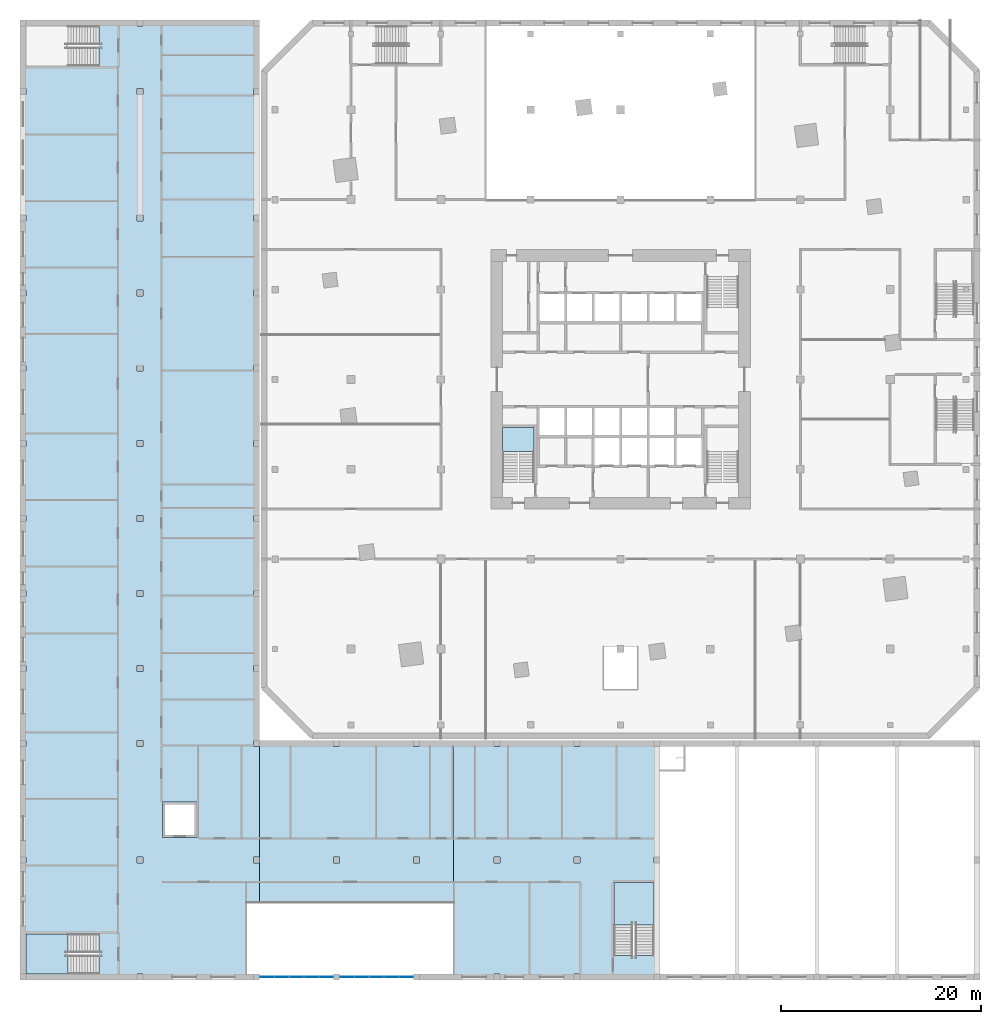
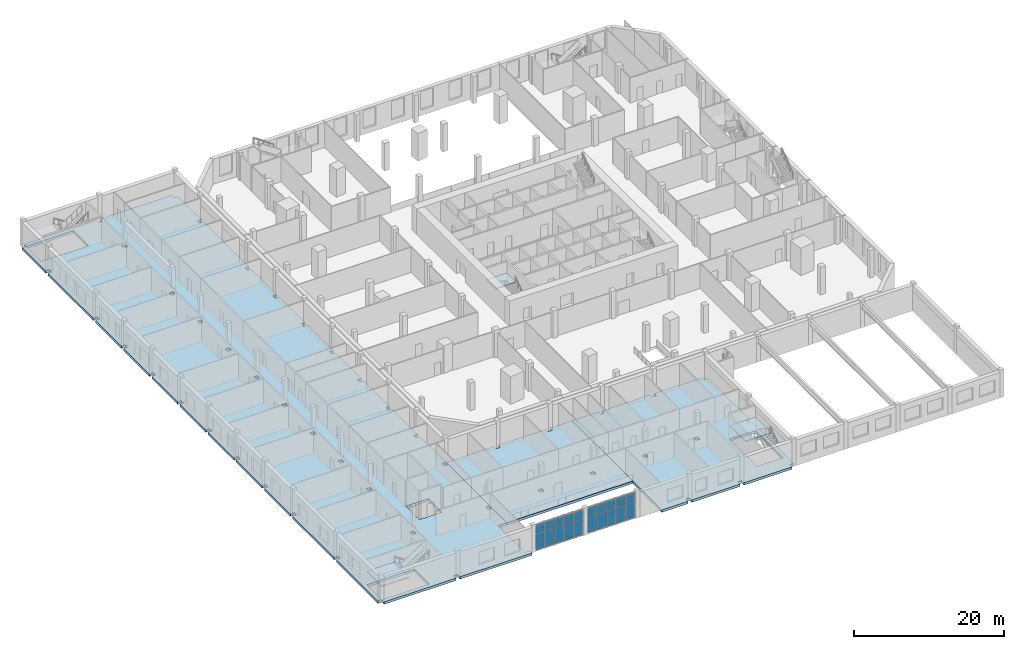
# One storey, part 7 of 27: 20 plates, 6 slabs, 5 elements without a shape of their own.
"""IFC4 building model written with IfcOpenShell, lengths in metres."""

from ifc_helpers import new_model, si_unit, direction, frame, origin, origin_2d, place, context, subcontext, project, spatial, polyline, rectangle, outline, extrude, material, layer, layer_set, type_object, element, aggregate, save


model = new_model("IFC4")

# Units and contexts
model_context = context("Model", 3, precision=1e-05, world=origin(), true_north=direction((0.0, 1.0)))
body_context = subcontext(model_context, "Body", "Model", "MODEL_VIEW")
ifc_project = project(units=[si_unit("LENGTHUNIT", "METRE"), si_unit("AREAUNIT", "SQUARE_METRE"), si_unit("VOLUMEUNIT", "CUBIC_METRE"), si_unit("PLANEANGLEUNIT", "RADIAN"), si_unit("MASSUNIT", "GRAM", prefix="KILO")], contexts=[model_context])

# Site, building, storey
site_placement = place(None, origin())
site = spatial("IfcSite", under=ifc_project, at=site_placement, CompositionType="ELEMENT")
building_placement = place(site_placement, origin())
building = spatial("IfcBuilding", under=site, at=building_placement, Name="Dilmun Exchange Tower", CompositionType="ELEMENT")
storey_placement = place(building_placement, frame((0.0, 0.0, 4.5)))
storey = spatial("IfcBuildingStorey", under=building, at=storey_placement, Name="L01", CompositionType="ELEMENT", Elevation=4.5)

# Stair, slab
ifc_material_1 = material(Name="Concrete C40/50", Category="concrete")
stair_type_1 = type_object("IfcStairType", Name="Exit stair 1500 half-turn", PredefinedType="HALF_TURN_STAIR", material=ifc_material_1)
stair_1_placement = place(storey_placement, origin())
stair_1 = element("IfcStair", 1, at=stair_1_placement, inside=storey, type_object=stair_type_1, Name="L01 Protected exit stair ST2", PredefinedType="HALF_TURN_STAIR")
ifc_layer_1 = layer(ifc_material_1, 0.199951171875)
ifc_layer_set_1 = layer_set([ifc_layer_1], Name="Concrete C40/50")
slab_type_1 = type_object("IfcSlabType", Name="Exit stair landing 200", PredefinedType="LANDING", material=ifc_layer_set_1)
slab_1_placement = place(storey_placement, frame((0.0, 0.0, 2.050048828125)))
slab_1 = element("IfcSlab", 2, at=slab_1_placement, type_object=slab_type_1, Name="ST2 landing 1", PredefinedType="LANDING", context=body_context, shape_type="SweptSolid", body=[
    extrude(outline(polyline([(-8.64990234375, -7.219970703125), (-8.64990234375, -4.800048828125), (-11.800048828125, -4.800048828125), (-11.800048828125, -7.219970703125), (-8.64990234375, -7.219970703125)])), origin(), (0.0, 0.0, 1.0), 0.199951171875),
])
aggregate(stair_1, [slab_1])

# Curtain wall, plates
ifc_material_2 = material(Name="Aluminium", Category="aluminium")
curtain_wall_type = type_object("IfcCurtainWallType", Name="School arcade glazing", PredefinedType="NOTDEFINED", material=ifc_material_2)
curtain_wall_1_placement = place(storey_placement, origin())
curtain_wall_1 = element("IfcCurtainWall", 3, at=curtain_wall_1_placement, inside=storey, type_object=curtain_wall_type, Name="School arcade glazing", PredefinedType="NOTDEFINED")
ifc_material_3 = material(Name="Clear low-emissivity glass in aluminium frame", Category="aluminium")
ifc_layer_2 = layer(ifc_material_3, 0.028076171875)
ifc_layer_set_2 = layer_set([ifc_layer_2], Name="Clear low-emissivity glass in aluminium frame")
plate_type = type_object("IfcPlateType", Name="School arcade glazing panel 28", PredefinedType="CURTAIN_PANEL", material=ifc_layer_set_2)
plate_1_placement = place(storey_placement, frame((-21.473388671875, -59.85009765625, 0.06005859375), z_axis=(0.0, 0.0, 1.0), x_axis=(-1.0, 0.0, 0.0)))
plate_1 = element("IfcPlate", 4, at=plate_1_placement, type_object=plate_type, Name="SCH-CW1 panel 1.1", PredefinedType="CURTAIN_PANEL", context=body_context, shape_type="SweptSolid", body=[
    extrude(rectangle(XDim=1.393310546875, YDim=0.028076171875, at=origin_2d()), origin(), (0.0, 0.0, 1.0), 2.610107421875),
])
plate_2_placement = place(storey_placement, frame((-21.473388671875, -59.85009765625, 2.72998046875), z_axis=(0.0, 0.0, 1.0), x_axis=(-1.0, 0.0, 0.0)))
plate_2 = element("IfcPlate", 5, at=plate_2_placement, type_object=plate_type, Name="SCH-CW1 panel 1.2", PredefinedType="CURTAIN_PANEL", context=body_context, shape_type="SweptSolid", body=[
    extrude(rectangle(XDim=1.393310546875, YDim=0.028076171875, at=origin_2d()), origin(), (0.0, 0.0, 1.0), 1.31005859375),
])
plate_3_placement = place(storey_placement, frame((-22.941650390625, -59.85009765625, 0.06005859375), z_axis=(0.0, 0.0, 1.0), x_axis=(-1.0, 0.0, 0.0)))
plate_3 = element("IfcPlate", 6, at=plate_3_placement, type_object=plate_type, Name="SCH-CW1 panel 2.1", PredefinedType="CURTAIN_PANEL", context=body_context, shape_type="SweptSolid", body=[
    extrude(rectangle(XDim=1.42333984375, YDim=0.028076171875, at=origin_2d()), origin(), (0.0, 0.0, 1.0), 2.610107421875),
])
plate_4_placement = place(storey_placement, frame((-22.941650390625, -59.85009765625, 2.72998046875), z_axis=(0.0, 0.0, 1.0), x_axis=(-1.0, 0.0, 0.0)))
plate_4 = element("IfcPlate", 7, at=plate_4_placement, type_object=plate_type, Name="SCH-CW1 panel 2.2", PredefinedType="CURTAIN_PANEL", context=body_context, shape_type="SweptSolid", body=[
    extrude(rectangle(XDim=1.42333984375, YDim=0.028076171875, at=origin_2d()), origin(), (0.0, 0.0, 1.0), 1.31005859375),
])
plate_5_placement = place(storey_placement, frame((-24.425048828125, -59.85009765625, 0.06005859375), z_axis=(0.0, 0.0, 1.0), x_axis=(-1.0, 0.0, 0.0)))
plate_5 = element("IfcPlate", 8, at=plate_5_placement, type_object=plate_type, Name="SCH-CW1 panel 3.1", PredefinedType="CURTAIN_PANEL", context=body_context, shape_type="SweptSolid", body=[
    extrude(rectangle(XDim=1.42333984375, YDim=0.028076171875, at=origin_2d()), origin(), (0.0, 0.0, 1.0), 2.610107421875),
])
plate_6_placement = place(storey_placement, frame((-24.425048828125, -59.85009765625, 2.72998046875), z_axis=(0.0, 0.0, 1.0), x_axis=(-1.0, 0.0, 0.0)))
plate_6 = element("IfcPlate", 9, at=plate_6_placement, type_object=plate_type, Name="SCH-CW1 panel 3.2", PredefinedType="CURTAIN_PANEL", context=body_context, shape_type="SweptSolid", body=[
    extrude(rectangle(XDim=1.42333984375, YDim=0.028076171875, at=origin_2d()), origin(), (0.0, 0.0, 1.0), 1.31005859375),
])
plate_7_placement = place(storey_placement, frame((-25.908203125, -59.85009765625, 0.06005859375), z_axis=(0.0, 0.0, 1.0), x_axis=(-1.0, 0.0, 0.0)))
plate_7 = element("IfcPlate", 10, at=plate_7_placement, type_object=plate_type, Name="SCH-CW1 panel 4.1", PredefinedType="CURTAIN_PANEL", context=body_context, shape_type="SweptSolid", body=[
    extrude(rectangle(XDim=1.42333984375, YDim=0.028076171875, at=origin_2d()), origin(), (0.0, 0.0, 1.0), 2.610107421875),
])
plate_8_placement = place(storey_placement, frame((-25.908203125, -59.85009765625, 2.72998046875), z_axis=(0.0, 0.0, 1.0), x_axis=(-1.0, 0.0, 0.0)))
plate_8 = element("IfcPlate", 11, at=plate_8_placement, type_object=plate_type, Name="SCH-CW1 panel 4.2", PredefinedType="CURTAIN_PANEL", context=body_context, shape_type="SweptSolid", body=[
    extrude(rectangle(XDim=1.42333984375, YDim=0.028076171875, at=origin_2d()), origin(), (0.0, 0.0, 1.0), 1.31005859375),
])
plate_9_placement = place(storey_placement, frame((-27.376708984375, -59.85009765625, 0.06005859375), z_axis=(0.0, 0.0, 1.0), x_axis=(-1.0, 0.0, 0.0)))
plate_9 = element("IfcPlate", 12, at=plate_9_placement, type_object=plate_type, Name="SCH-CW1 panel 5.1", PredefinedType="CURTAIN_PANEL", context=body_context, shape_type="SweptSolid", body=[
    extrude(rectangle(XDim=1.393310546875, YDim=0.028076171875, at=origin_2d()), origin(), (0.0, 0.0, 1.0), 2.610107421875),
])
plate_10_placement = place(storey_placement, frame((-27.376708984375, -59.85009765625, 2.72998046875), z_axis=(0.0, 0.0, 1.0), x_axis=(-1.0, 0.0, 0.0)))
plate_10 = element("IfcPlate", 13, at=plate_10_placement, type_object=plate_type, Name="SCH-CW1 panel 5.2", PredefinedType="CURTAIN_PANEL", context=body_context, shape_type="SweptSolid", body=[
    extrude(rectangle(XDim=1.393310546875, YDim=0.028076171875, at=origin_2d()), origin(), (0.0, 0.0, 1.0), 1.31005859375),
])
aggregate(curtain_wall_1, [plate_1, plate_2, plate_3, plate_4, plate_5, plate_6, plate_7, plate_8, plate_9, plate_10])

curtain_wall_2_placement = place(storey_placement, origin())
curtain_wall_2 = element("IfcCurtainWall", 14, at=curtain_wall_2_placement, inside=storey, type_object=curtain_wall_type, Name="School arcade glazing", PredefinedType="NOTDEFINED")
plate_11_placement = place(storey_placement, frame((-29.489990234375, -59.85009765625, 0.06005859375), z_axis=(0.0, 0.0, 1.0), x_axis=(-1.0, 0.0, 0.0)))
plate_11 = element("IfcPlate", 15, at=plate_11_placement, type_object=plate_type, Name="SCH-CW1 panel 1.1", PredefinedType="CURTAIN_PANEL", context=body_context, shape_type="SweptSolid", body=[
    extrude(rectangle(XDim=1.393310546875, YDim=0.028076171875, at=origin_2d()), origin(), (0.0, 0.0, 1.0), 2.610107421875),
])
plate_12_placement = place(storey_placement, frame((-29.489990234375, -59.85009765625, 2.72998046875), z_axis=(0.0, 0.0, 1.0), x_axis=(-1.0, 0.0, 0.0)))
plate_12 = element("IfcPlate", 16, at=plate_12_placement, type_object=plate_type, Name="SCH-CW1 panel 1.2", PredefinedType="CURTAIN_PANEL", context=body_context, shape_type="SweptSolid", body=[
    extrude(rectangle(XDim=1.393310546875, YDim=0.028076171875, at=origin_2d()), origin(), (0.0, 0.0, 1.0), 1.31005859375),
])
plate_13_placement = place(storey_placement, frame((-30.958251953125, -59.85009765625, 0.06005859375), z_axis=(0.0, 0.0, 1.0), x_axis=(-1.0, 0.0, 0.0)))
plate_13 = element("IfcPlate", 17, at=plate_13_placement, type_object=plate_type, Name="SCH-CW1 panel 2.1", PredefinedType="CURTAIN_PANEL", context=body_context, shape_type="SweptSolid", body=[
    extrude(rectangle(XDim=1.42333984375, YDim=0.028076171875, at=origin_2d()), origin(), (0.0, 0.0, 1.0), 2.610107421875),
])
plate_14_placement = place(storey_placement, frame((-30.958251953125, -59.85009765625, 2.72998046875), z_axis=(0.0, 0.0, 1.0), x_axis=(-1.0, 0.0, 0.0)))
plate_14 = element("IfcPlate", 18, at=plate_14_placement, type_object=plate_type, Name="SCH-CW1 panel 2.2", PredefinedType="CURTAIN_PANEL", context=body_context, shape_type="SweptSolid", body=[
    extrude(rectangle(XDim=1.42333984375, YDim=0.028076171875, at=origin_2d()), origin(), (0.0, 0.0, 1.0), 1.31005859375),
])
plate_15_placement = place(storey_placement, frame((-32.441650390625, -59.85009765625, 0.06005859375), z_axis=(0.0, 0.0, 1.0), x_axis=(-1.0, 0.0, 0.0)))
plate_15 = element("IfcPlate", 19, at=plate_15_placement, type_object=plate_type, Name="SCH-CW1 panel 3.1", PredefinedType="CURTAIN_PANEL", context=body_context, shape_type="SweptSolid", body=[
    extrude(rectangle(XDim=1.42333984375, YDim=0.028076171875, at=origin_2d()), origin(), (0.0, 0.0, 1.0), 2.610107421875),
])
plate_16_placement = place(storey_placement, frame((-32.441650390625, -59.85009765625, 2.72998046875), z_axis=(0.0, 0.0, 1.0), x_axis=(-1.0, 0.0, 0.0)))
plate_16 = element("IfcPlate", 20, at=plate_16_placement, type_object=plate_type, Name="SCH-CW1 panel 3.2", PredefinedType="CURTAIN_PANEL", context=body_context, shape_type="SweptSolid", body=[
    extrude(rectangle(XDim=1.42333984375, YDim=0.028076171875, at=origin_2d()), origin(), (0.0, 0.0, 1.0), 1.31005859375),
])
plate_17_placement = place(storey_placement, frame((-33.925048828125, -59.85009765625, 0.06005859375), z_axis=(0.0, 0.0, 1.0), x_axis=(-1.0, 0.0, 0.0)))
plate_17 = element("IfcPlate", 21, at=plate_17_placement, type_object=plate_type, Name="SCH-CW1 panel 4.1", PredefinedType="CURTAIN_PANEL", context=body_context, shape_type="SweptSolid", body=[
    extrude(rectangle(XDim=1.42333984375, YDim=0.028076171875, at=origin_2d()), origin(), (0.0, 0.0, 1.0), 2.610107421875),
])
plate_18_placement = place(storey_placement, frame((-33.925048828125, -59.85009765625, 2.72998046875), z_axis=(0.0, 0.0, 1.0), x_axis=(-1.0, 0.0, 0.0)))
plate_18 = element("IfcPlate", 22, at=plate_18_placement, type_object=plate_type, Name="SCH-CW1 panel 4.2", PredefinedType="CURTAIN_PANEL", context=body_context, shape_type="SweptSolid", body=[
    extrude(rectangle(XDim=1.42333984375, YDim=0.028076171875, at=origin_2d()), origin(), (0.0, 0.0, 1.0), 1.31005859375),
])
plate_19_placement = place(storey_placement, frame((-35.393310546875, -59.85009765625, 0.06005859375), z_axis=(0.0, 0.0, 1.0), x_axis=(-1.0, 0.0, 0.0)))
plate_19 = element("IfcPlate", 23, at=plate_19_placement, type_object=plate_type, Name="SCH-CW1 panel 5.1", PredefinedType="CURTAIN_PANEL", context=body_context, shape_type="SweptSolid", body=[
    extrude(rectangle(XDim=1.393310546875, YDim=0.028076171875, at=origin_2d()), origin(), (0.0, 0.0, 1.0), 2.610107421875),
])
plate_20_placement = place(storey_placement, frame((-35.393310546875, -59.85009765625, 2.72998046875), z_axis=(0.0, 0.0, 1.0), x_axis=(-1.0, 0.0, 0.0)))
plate_20 = element("IfcPlate", 24, at=plate_20_placement, type_object=plate_type, Name="SCH-CW1 panel 5.2", PredefinedType="CURTAIN_PANEL", context=body_context, shape_type="SweptSolid", body=[
    extrude(rectangle(XDim=1.393310546875, YDim=0.028076171875, at=origin_2d()), origin(), (0.0, 0.0, 1.0), 1.31005859375),
])
aggregate(curtain_wall_2, [plate_11, plate_12, plate_13, plate_14, plate_15, plate_16, plate_17, plate_18, plate_19, plate_20])

# Slabs
ifc_layer_3 = layer(ifc_material_1, 0.39990234375)
ifc_layer_set_3 = layer_set([ifc_layer_3], Name="Concrete C40/50")
slab_type_2 = type_object("IfcSlabType", Name="School flat slab 400 PT", PredefinedType="FLOOR", material=ifc_layer_set_3)
slab_2_placement = place(storey_placement, frame((0.0, 0.0, -0.39990234375)))
element("IfcSlab", 25, at=slab_2_placement, inside=storey, type_object=slab_type_2, Name="School slab L01", PredefinedType="FLOOR", context=body_context, shape_type="SweptSolid", body=[
    extrude(outline(polyline([(-47.85009765625, -59.550048828125), (-48.449951171875, -59.550048828125), (-48.449951171875, -60.14990234375), (-59.550048828125, -60.14990234375), (-59.550048828125, -59.551025390625), (-52.25390625, -59.551025390625), (-52.25390625, -55.549072265625), (-59.551025390625, -55.549072265625), (-59.551025390625, -59.550048828125), (-60.14990234375, -59.550048828125), (-60.14990234375, -48.449951171875), (-59.550048828125, -48.449951171875), (-59.550048828125, -47.85009765625), (-60.14990234375, -47.85009765625), (-60.14990234375, -36.75), (-59.550048828125, -36.75), (-59.550048828125, -36.14990234375), (-60.14990234375, -36.14990234375), (-60.14990234375, -29.236083984375), (-59.550048828125, -29.236083984375), (-59.550048828125, -28.635986328125), (-60.14990234375, -28.635986328125), (-60.14990234375, -21.720947265625), (-59.550048828125, -21.720947265625), (-59.550048828125, -21.12109375), (-60.14990234375, -21.12109375), (-60.14990234375, -14.20703125), (-59.550048828125, -14.20703125), (-59.550048828125, -13.60693359375), (-60.14990234375, -13.60693359375), (-60.14990234375, -6.693115234375), (-59.550048828125, -6.693115234375), (-59.550048828125, -6.093017578125), (-60.14990234375, -6.093017578125), (-60.14990234375, 0.821044921875), (-59.550048828125, 0.821044921875), (-59.550048828125, 1.4208984375), (-60.14990234375, 1.4208984375), (-60.14990234375, 8.3359375), (-59.550048828125, 8.3359375), (-59.550048828125, 8.93603515625), (-60.14990234375, 8.93603515625), (-60.14990234375, 15.85009765625), (-59.550048828125, 15.85009765625), (-59.550048828125, 16.449951171875), (-60.14990234375, 16.449951171875), (-60.14990234375, 28.550048828125), (-59.550048828125, 28.550048828125), (-59.550048828125, 29.14990234375), (-60.14990234375, 29.14990234375), (-60.14990234375, 35.39990234375), (-59.551025390625, 35.39990234375), (-59.551025390625, 31.39892578125), (-52.25390625, 31.39892578125), (-52.25390625, 35.40087890625), (-59.550048828125, 35.40087890625), (-59.550048828125, 36.0), (-48.449951171875, 36.0), (-48.449951171875, 35.39990234375), (-47.85009765625, 35.39990234375), (-47.85009765625, 36.0), (-36.75, 36.0), (-36.75, 35.39990234375), (-36.14990234375, 35.39990234375), (-36.14990234375, 29.14990234375), (-36.75, 29.14990234375), (-36.75, 28.550048828125), (-36.14990234375, 28.550048828125), (-36.14990234375, 16.449951171875), (-36.75, 16.449951171875), (-36.75, 15.85009765625), (-36.14990234375, 15.85009765625), (-36.14990234375, 8.93603515625), (-36.75, 8.93603515625), (-36.75, 8.3359375), (-36.14990234375, 8.3359375), (-36.14990234375, 1.4208984375), (-36.75, 1.4208984375), (-36.75, 0.821044921875), (-36.14990234375, 0.821044921875), (-36.14990234375, -6.093017578125), (-36.75, -6.093017578125), (-36.75, -6.693115234375), (-36.14990234375, -6.693115234375), (-36.14990234375, -13.60693359375), (-36.75, -13.60693359375), (-36.75, -14.20703125), (-36.14990234375, -14.20703125), (-36.14990234375, -21.12109375), (-36.75, -21.12109375), (-36.75, -21.720947265625), (-36.14990234375, -21.720947265625), (-36.14990234375, -28.635986328125), (-36.75, -28.635986328125), (-36.75, -29.236083984375), (-36.14990234375, -29.236083984375), (-36.14990234375, -36.14990234375), (-36.75, -36.14990234375), (-36.75, -36.75), (-36.14990234375, -36.75), (-36.14990234375, -47.85009765625), (-36.75, -47.85009765625), (-36.75, -48.449951171875), (-36.14990234375, -48.449951171875), (-36.14990234375, -52.39892578125), (-37.46044921875, -52.39892578125), (-37.46044921875, -59.551025390625), (-36.75, -59.551025390625), (-36.75, -60.14990234375), (-47.85009765625, -60.14990234375), (-47.85009765625, -59.550048828125)]), holes=[polyline([(-48.449951171875, -21.12109375), (-48.449951171875, -21.720947265625), (-47.85009765625, -21.720947265625), (-47.85009765625, -21.12109375), (-48.449951171875, -21.12109375)]), polyline([(-48.449951171875, -13.60693359375), (-48.449951171875, -14.20703125), (-47.85009765625, -14.20703125), (-47.85009765625, -13.60693359375), (-48.449951171875, -13.60693359375)]), polyline([(-48.449951171875, -6.093017578125), (-48.449951171875, -6.693115234375), (-47.85009765625, -6.693115234375), (-47.85009765625, -6.093017578125), (-48.449951171875, -6.093017578125)]), polyline([(-48.449951171875, 1.4208984375), (-48.449951171875, 0.821044921875), (-47.85009765625, 0.821044921875), (-47.85009765625, 1.4208984375), (-48.449951171875, 1.4208984375)]), polyline([(-48.449951171875, 8.93603515625), (-48.449951171875, 8.3359375), (-47.85009765625, 8.3359375), (-47.85009765625, 8.93603515625), (-48.449951171875, 8.93603515625)]), polyline([(-48.449951171875, 16.449951171875), (-48.449951171875, 15.85009765625), (-47.85009765625, 15.85009765625), (-47.85009765625, 16.449951171875), (-48.449951171875, 16.449951171875)]), polyline([(-48.449951171875, 29.14990234375), (-48.449951171875, 28.550048828125), (-47.85009765625, 28.550048828125), (-47.85009765625, 29.14990234375), (-48.449951171875, 29.14990234375)]), polyline([(-48.449951171875, -47.85009765625), (-48.449951171875, -48.449951171875), (-47.85009765625, -48.449951171875), (-47.85009765625, -47.85009765625), (-48.449951171875, -47.85009765625)]), polyline([(-48.449951171875, -36.14990234375), (-48.449951171875, -36.75), (-47.85009765625, -36.75), (-47.85009765625, -36.14990234375), (-48.449951171875, -36.14990234375)]), polyline([(-48.449951171875, -28.635986328125), (-48.449951171875, -29.236083984375), (-47.85009765625, -29.236083984375), (-47.85009765625, -28.635986328125), (-48.449951171875, -28.635986328125)]), polyline([(-42.39892578125, -45.90087890625), (-42.39892578125, -42.299072265625), (-45.90087890625, -42.299072265625), (-45.90087890625, -45.90087890625), (-42.39892578125, -45.90087890625)])]), origin(), (0.0, 0.0, 1.0), 0.39990234375),
])
slab_3_placement = place(storey_placement, frame((0.0, 0.0, -0.39990234375)))
element("IfcSlab", 26, at=slab_3_placement, inside=storey, type_object=slab_type_2, Name="School slab L01", PredefinedType="FLOOR", context=body_context, shape_type="SweptSolid", body=[
    extrude(outline(polyline([(3.3330078125, -47.85009765625), (3.3330078125, -48.449951171875), (3.93310546875, -48.449951171875), (3.93310546875, -59.550048828125), (3.3330078125, -59.550048828125), (3.3330078125, -60.14990234375), (-4.0830078125, -60.14990234375), (-4.0830078125, -59.550048828125), (-4.68310546875, -59.550048828125), (-4.68310546875, -60.14990234375), (-12.10009765625, -60.14990234375), (-12.10009765625, -59.550048828125), (-12.699951171875, -59.550048828125), (-12.699951171875, -60.14990234375), (-16.73291015625, -60.14990234375), (-16.73291015625, -59.551025390625), (-16.73193359375, -59.551025390625), (-16.73193359375, -52.39892578125), (-16.73291015625, -52.39892578125), (-16.73291015625, -36.14990234375), (-12.699951171875, -36.14990234375), (-12.699951171875, -36.75), (-12.10009765625, -36.75), (-12.10009765625, -36.14990234375), (-4.68310546875, -36.14990234375), (-4.68310546875, -36.75), (-4.0830078125, -36.75), (-4.0830078125, -36.14990234375), (3.3330078125, -36.14990234375), (3.3330078125, -36.75), (3.93310546875, -36.75), (3.93310546875, -47.85009765625), (3.3330078125, -47.85009765625)]), holes=[polyline([(-12.10009765625, -47.85009765625), (-12.699951171875, -47.85009765625), (-12.699951171875, -48.449951171875), (-12.10009765625, -48.449951171875), (-12.10009765625, -47.85009765625)]), polyline([(-4.0830078125, -47.85009765625), (-4.68310546875, -47.85009765625), (-4.68310546875, -48.449951171875), (-4.0830078125, -48.449951171875), (-4.0830078125, -47.85009765625)]), polyline([(-0.64794921875, -50.39892578125), (-0.64794921875, -57.7060546875), (3.333984375, -57.7060546875), (3.333984375, -50.39892578125), (-0.64794921875, -50.39892578125)])]), origin(), (0.0, 0.0, 1.0), 0.39990234375),
])
slab_4_placement = place(storey_placement, frame((0.0, 0.0, -0.39990234375)))
element("IfcSlab", 27, at=slab_4_placement, inside=storey, type_object=slab_type_2, Name="School slab L01", PredefinedType="FLOOR", context=body_context, shape_type="SweptSolid", body=[
    extrude(outline(polyline([(-36.14990234375, -52.39892578125), (-36.14990234375, -36.14990234375), (-28.73291015625, -36.14990234375), (-28.73291015625, -36.75), (-28.133056640625, -36.75), (-28.133056640625, -36.14990234375), (-20.717041015625, -36.14990234375), (-20.717041015625, -36.75), (-20.116943359375, -36.75), (-20.116943359375, -36.14990234375), (-16.73291015625, -36.14990234375), (-16.73291015625, -52.39892578125), (-36.14990234375, -52.39892578125)]), holes=[polyline([(-28.133056640625, -47.85009765625), (-28.73291015625, -47.85009765625), (-28.73291015625, -48.449951171875), (-28.133056640625, -48.449951171875), (-28.133056640625, -47.85009765625)]), polyline([(-20.116943359375, -47.85009765625), (-20.717041015625, -47.85009765625), (-20.717041015625, -48.449951171875), (-20.116943359375, -48.449951171875), (-20.116943359375, -47.85009765625)])]), origin(), (0.0, 0.0, 1.0), 0.39990234375),
])

# Stair, slab
stair_type_2 = type_object("IfcStairType", Name="School exit stair 1850 wide", PredefinedType="HALF_TURN_STAIR", material=ifc_material_1)
stair_2_placement = place(storey_placement, origin())
stair_2 = element("IfcStair", 28, at=stair_2_placement, inside=storey, type_object=stair_type_2, Name="L01 Stair S2", PredefinedType="HALF_TURN_STAIR")
ifc_layer_4 = layer(ifc_material_1, 0.199951171875)
ifc_layer_set_4 = layer_set([ifc_layer_4], Name="Concrete C40/50")
slab_type_3 = type_object("IfcSlabType", Name="School stair landing 200", PredefinedType="LANDING", material=ifc_layer_set_4)
slab_5_placement = place(storey_placement, frame((0.0, 0.0, 2.050048828125)))
slab_5 = element("IfcSlab", 29, at=slab_5_placement, type_object=slab_type_3, Name="SCH-S2 landing 1", PredefinedType="LANDING", context=body_context, shape_type="SweptSolid", body=[
    extrude(outline(polyline([(-55.330078125, -55.550048828125), (-59.550048828125, -55.550048828125), (-59.550048828125, -59.550048828125), (-55.330078125, -59.550048828125), (-55.330078125, -55.550048828125)])), origin(), (0.0, 0.0, 1.0), 0.199951171875),
])
aggregate(stair_2, [slab_5])

stair_3_placement = place(storey_placement, origin())
stair_3 = element("IfcStair", 30, at=stair_3_placement, inside=storey, type_object=stair_type_2, Name="L01 Stair S3", PredefinedType="HALF_TURN_STAIR")
slab_6_placement = place(storey_placement, frame((0.0, 0.0, 2.050048828125)))
slab_6 = element("IfcSlab", 31, at=slab_6_placement, type_object=slab_type_3, Name="SCH-S3 landing 1", PredefinedType="LANDING", context=body_context, shape_type="SweptSolid", body=[
    extrude(outline(polyline([(3.3330078125, -54.6298828125), (3.3330078125, -50.39990234375), (-0.64697265625, -50.39990234375), (-0.64697265625, -54.6298828125), (3.3330078125, -54.6298828125)])), origin(), (0.0, 0.0, 1.0), 0.199951171875),
])
aggregate(stair_3, [slab_6])

save(model, "model.ifc")
